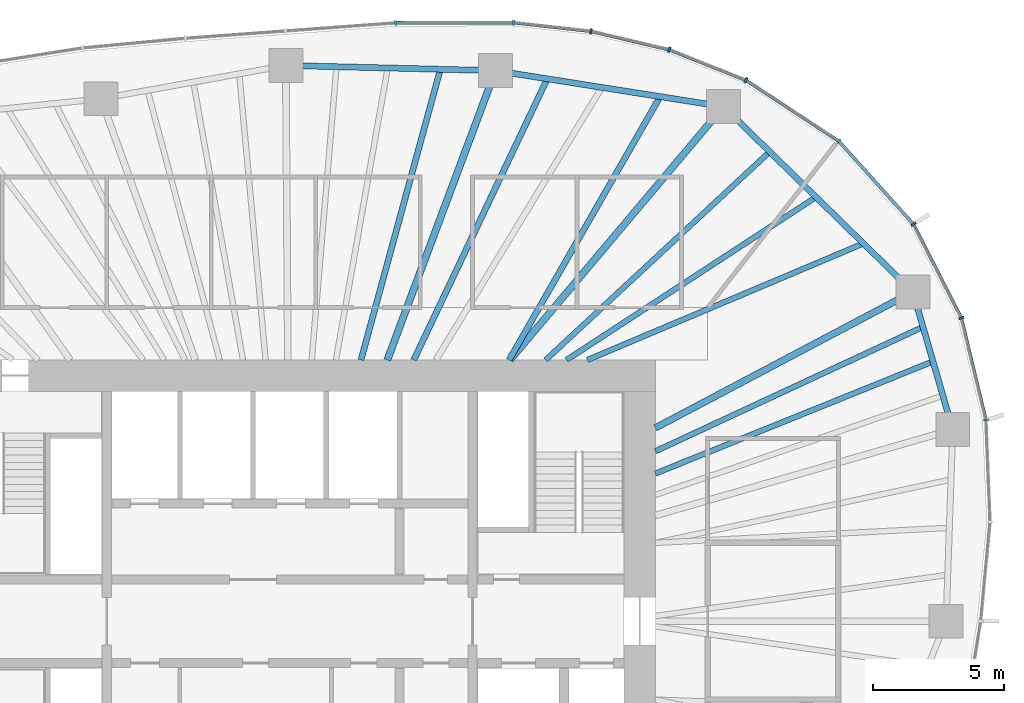
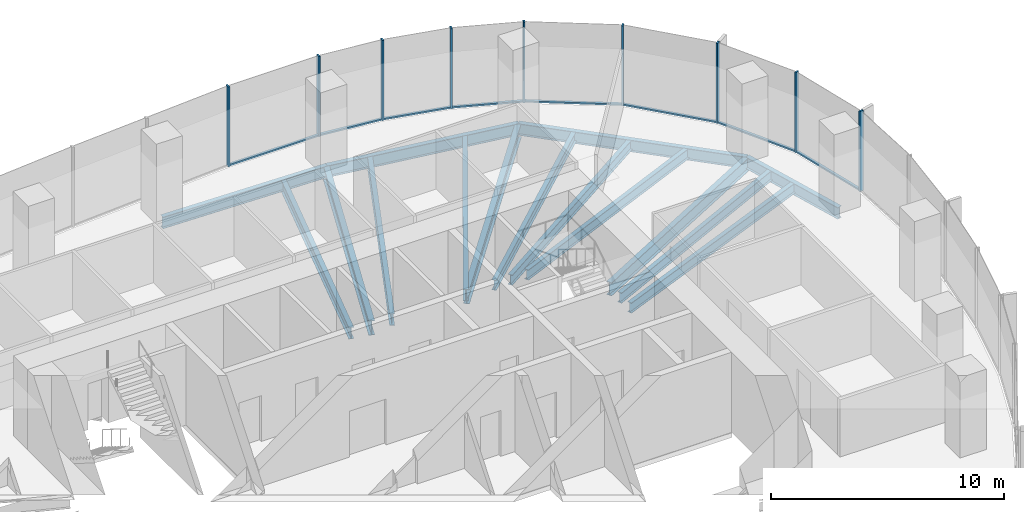
# One storey, part 6 of 12: 17 members, 15 beams, 4 elements without a shape of their own.
"""IFC4 building model written with IfcOpenShell, lengths in metres."""

from ifc_helpers import new_model, si_unit, direction, frame, origin, origin_2d, place, context, subcontext, project, spatial, rectangle, i_section, extrude, material, material_profile, profile_set, type_object, element, aggregate, save


model = new_model("IFC4")

# Units and contexts
model_context = context("Model", 3, precision=1e-05, world=origin(), true_north=direction((0.0, 1.0)))
body_context = subcontext(model_context, "Body", "Model", "MODEL_VIEW")
ifc_project = project(units=[si_unit("LENGTHUNIT", "METRE"), si_unit("AREAUNIT", "SQUARE_METRE"), si_unit("VOLUMEUNIT", "CUBIC_METRE"), si_unit("PLANEANGLEUNIT", "RADIAN"), si_unit("MASSUNIT", "GRAM", prefix="KILO")], contexts=[model_context])

# Site, building, storey
site_placement = place(None, origin())
site = spatial("IfcSite", under=ifc_project, at=site_placement, CompositionType="ELEMENT")
building_placement = place(site_placement, origin())
building = spatial("IfcBuilding", under=site, at=building_placement, Name="Ghaith Harvest Tower", CompositionType="ELEMENT")
storey_placement = place(building_placement, frame((0.0, 0.0, 207.39990234375)))
storey = spatial("IfcBuildingStorey", under=building, at=storey_placement, Name="L45", CompositionType="ELEMENT", Elevation=207.39990234375)

# Curtain wall, members
ifc_material_1 = material(Name="Black anodised aluminium and fritted glass", Category="aluminium")
curtain_wall_type = type_object("IfcCurtainWallType", Name="CW-H CURTAIN WALL", PredefinedType="NOTDEFINED", material=ifc_material_1)
curtain_wall_1_placement = place(storey_placement, origin())
curtain_wall_1 = element("IfcCurtainWall", 1, at=curtain_wall_1_placement, inside=storey, type_object=curtain_wall_type, Name="Curtain wall CW-H bay 02 L45", PredefinedType="NOTDEFINED")
ifc_material_2 = material(Name="Aluminium, black anodised", Category="aluminium")
ifc_material_profile_1 = material_profile(ifc_material_2, rectangle(XDim=0.080078125, YDim=0.199951171875, at=origin_2d()), Name="CW-H MULLION 80x200")
ifc_profile_set_1 = profile_set([ifc_material_profile_1], Name="Aluminium, black anodised")
member_type_1 = type_object("IfcMemberType", Name="CW-H MULLION 80x200", PredefinedType="MULLION", material=ifc_profile_set_1)
member_1_placement = place(storey_placement, frame((26.646484375, 7.701416015625, 0.0), z_axis=(0.0, 0.0, 1.0), x_axis=(-0.139146256981, 0.990271841046, 0.0)))
member_1 = element("IfcMember", 2, at=member_1_placement, type_object=member_type_1, Name="CW-H mullion 1 bay 02 L45", PredefinedType="MULLION", context=body_context, shape_type="SweptSolid", body=[
    extrude(rectangle(XDim=0.080078125, YDim=0.199951171875, at=origin_2d()), origin(), (0.0, 0.0, 1.0), 4.2001953125),
])
member_2_placement = place(storey_placement, frame((25.707275390625, 11.60546875, 0.0), z_axis=(0.0, 0.0, 1.0), x_axis=(-0.347012123561, 0.93786064322, 0.0)))
member_2 = element("IfcMember", 3, at=member_2_placement, type_object=member_type_1, Name="CW-H mullion 2 bay 02 L45", PredefinedType="MULLION", context=body_context, shape_type="SweptSolid", body=[
    extrude(rectangle(XDim=0.080078125, YDim=0.199951171875, at=origin_2d()), origin(), (0.0, 0.0, 1.0), 4.2001953125),
])

curtain_wall_2_placement = place(storey_placement, origin())
curtain_wall_2 = element("IfcCurtainWall", 4, at=curtain_wall_2_placement, inside=storey, type_object=curtain_wall_type, Name="Curtain wall CW-H bay 03 L45", PredefinedType="NOTDEFINED")
member_3_placement = place(storey_placement, frame((23.874267578125, 15.19384765625, 0.0), z_axis=(0.0, 0.0, 1.0), x_axis=(-0.569847382909, 0.821750546207, 0.0)))
member_3 = element("IfcMember", 5, at=member_3_placement, type_object=member_type_1, Name="CW-H mullion 1 bay 03 L45", PredefinedType="MULLION", context=body_context, shape_type="SweptSolid", body=[
    extrude(rectangle(XDim=0.080078125, YDim=0.199951171875, at=origin_2d()), origin(), (0.0, 0.0, 1.0), 4.2001953125),
])
member_4_placement = place(storey_placement, frame((21.013427734375, 18.374267578125, 0.0), z_axis=(0.0, 0.0, 1.0), x_axis=(-0.758541332755, 0.651624927778, 0.0)))
member_4 = element("IfcMember", 6, at=member_4_placement, type_object=member_type_1, Name="CW-H mullion 2 bay 03 L45", PredefinedType="MULLION", context=body_context, shape_type="SweptSolid", body=[
    extrude(rectangle(XDim=0.080078125, YDim=0.199951171875, at=origin_2d()), origin(), (0.0, 0.0, 1.0), 4.2001953125),
])

curtain_wall_3_placement = place(storey_placement, origin())
curtain_wall_3 = element("IfcCurtainWall", 7, at=curtain_wall_3_placement, inside=storey, type_object=curtain_wall_type, Name="Curtain wall CW-H bay 04 L45", PredefinedType="NOTDEFINED")
member_5_placement = place(storey_placement, frame((17.45947265625, 20.704345703125, 0.0), z_axis=(0.0, 0.0, 1.0), x_axis=(-0.880203412003, 0.474596621878, 0.0)))
member_5 = element("IfcMember", 8, at=member_5_placement, type_object=member_type_1, Name="CW-H mullion 1 bay 04 L45", PredefinedType="MULLION", context=body_context, shape_type="SweptSolid", body=[
    extrude(rectangle(XDim=0.080078125, YDim=0.199951171875, at=origin_2d()), origin(), (0.0, 0.0, 1.0), 4.2001953125),
])
member_6_placement = place(storey_placement, frame((14.52734375, 21.871337890625, 0.0), z_axis=(0.0, 0.0, 1.0), x_axis=(-0.953502908871, 0.30138381306, 0.0)))
member_6 = element("IfcMember", 9, at=member_6_placement, type_object=member_type_1, Name="CW-H mullion 2 bay 04 L45", PredefinedType="MULLION", context=body_context, shape_type="SweptSolid", body=[
    extrude(rectangle(XDim=0.080078125, YDim=0.199951171875, at=origin_2d()), origin(), (0.0, 0.0, 1.0), 4.2001953125),
])
member_7_placement = place(storey_placement, frame((11.527099609375, 22.579345703125, 0.0), z_axis=(0.0, 0.0, 1.0), x_axis=(-0.985193373388, 0.171446834417, 0.0)))
member_7 = element("IfcMember", 10, at=member_7_placement, type_object=member_type_1, Name="CW-H mullion 3 bay 04 L45", PredefinedType="MULLION", context=body_context, shape_type="SweptSolid", body=[
    extrude(rectangle(XDim=0.080078125, YDim=0.199951171875, at=origin_2d()), origin(), (0.0, 0.0, 1.0), 4.2001953125),
])

curtain_wall_4_placement = place(storey_placement, origin())
curtain_wall_4 = element("IfcCurtainWall", 11, at=curtain_wall_4_placement, inside=storey, type_object=curtain_wall_type, Name="Curtain wall CW-H bay 05 L45", PredefinedType="NOTDEFINED")
member_8_placement = place(storey_placement, frame((8.564208984375, 22.9091796875, 0.0), z_axis=(0.0, 0.0, 1.0), x_axis=(-0.999083519493, 0.042803283493, 0.0)))
member_8 = element("IfcMember", 12, at=member_8_placement, type_object=member_type_1, Name="CW-H mullion 1 bay 05 L45", PredefinedType="MULLION", context=body_context, shape_type="SweptSolid", body=[
    extrude(rectangle(XDim=0.080078125, YDim=0.199951171875, at=origin_2d()), origin(), (0.0, 0.0, 1.0), 4.2001953125),
])
member_9_placement = place(storey_placement, frame((4.0595703125, 22.8994140625, 0.0), z_axis=(0.0, 0.0, 1.0), x_axis=(-0.999332779724, -0.036523901335, 0.0)))
member_9 = element("IfcMember", 13, at=member_9_placement, type_object=member_type_1, Name="CW-H mullion 2 bay 05 L45", PredefinedType="MULLION", context=body_context, shape_type="SweptSolid", body=[
    extrude(rectangle(XDim=0.080078125, YDim=0.199951171875, at=origin_2d()), origin(), (0.0, 0.0, 1.0), 4.2001953125),
])

# Member
ifc_material_3 = material(Name="Aluminium, black anodised", Category="aluminium")
ifc_material_profile_2 = material_profile(ifc_material_3, rectangle(XDim=0.1298828125, YDim=0.080078125, at=origin_2d()), Name="CW-H TRANSOM 130x80")
ifc_profile_set_2 = profile_set([ifc_material_profile_2], Name="Aluminium, black anodised")
member_type_2 = type_object("IfcMemberType", Name="CW-H TRANSOM 130x80", PredefinedType="USERDEFINED", material=ifc_profile_set_2)
member_10_placement = place(storey_placement, frame((26.636962890625, 7.740234375, 0.0400390625), z_axis=(-0.233870324689, 0.972267798104, 0.0), x_axis=(-0.972267798104, -0.233870324689, 0.0)))
member_10 = element("IfcMember", 14, at=member_10_placement, type_object=member_type_2, Name="CW-H transom 1 bay 02 L45", ObjectType="TRANSOM", PredefinedType="USERDEFINED", context=body_context, shape_type="SweptSolid", body=[
    extrude(rectangle(XDim=0.1298828125, YDim=0.080078125, at=origin_2d()), origin(), (0.0, 0.0, 1.0), 3.935546875),
])

member_11_placement = place(storey_placement, frame((25.68896484375, 11.64111328125, 0.0400390625), z_axis=(-0.454911728312, 0.890536534592, 0.0), x_axis=(-0.890536534592, -0.454911728312, 0.0)))
member_11 = element("IfcMember", 15, at=member_11_placement, type_object=member_type_2, Name="CW-H transom 2 bay 02 L45", ObjectType="TRANSOM", PredefinedType="USERDEFINED", context=body_context, shape_type="SweptSolid", body=[
    extrude(rectangle(XDim=0.1298828125, YDim=0.080078125, at=origin_2d()), origin(), (0.0, 0.0, 1.0), 3.949462890625),
])

aggregate(curtain_wall_1, [member_1, member_10, member_2, member_11])

member_12_placement = place(storey_placement, frame((23.847412109375, 15.223388671875, 0.0400390625), z_axis=(-0.668752638518, 0.743484975286, 0.0), x_axis=(-0.743484975286, -0.668752638518, 0.0)))
member_12 = element("IfcMember", 16, at=member_12_placement, type_object=member_type_2, Name="CW-H transom 1 bay 03 L45", ObjectType="TRANSOM", PredefinedType="USERDEFINED", context=body_context, shape_type="SweptSolid", body=[
    extrude(rectangle(XDim=0.1298828125, YDim=0.080078125, at=origin_2d()), origin(), (0.0, 0.0, 1.0), 4.197998046875),
])

member_13_placement = place(storey_placement, frame((20.97998046875, 18.39599609375, 0.0400390625), z_axis=(-0.836268574396, 0.548320044753, 0.0), x_axis=(-0.548320044753, -0.836268574396, 0.0)))
member_13 = element("IfcMember", 17, at=member_13_placement, type_object=member_type_2, Name="CW-H transom 2 bay 03 L45", ObjectType="TRANSOM", PredefinedType="USERDEFINED", context=body_context, shape_type="SweptSolid", body=[
    extrude(rectangle(XDim=0.1298828125, YDim=0.080078125, at=origin_2d()), origin(), (0.0, 0.0, 1.0), 4.169677734375),
])

aggregate(curtain_wall_2, [member_3, member_12, member_4, member_13])

member_14_placement = place(storey_placement, frame((17.42236328125, 20.71923828125, 0.0400390625), z_axis=(-0.929115751434, 0.369789021521, 0.0), x_axis=(-0.369789021521, -0.929115751434, 0.0)))
member_14 = element("IfcMember", 18, at=member_14_placement, type_object=member_type_2, Name="CW-H transom 1 bay 04 L45", ObjectType="TRANSOM", PredefinedType="USERDEFINED", context=body_context, shape_type="SweptSolid", body=[
    extrude(rectangle(XDim=0.1298828125, YDim=0.080078125, at=origin_2d()), origin(), (0.0, 0.0, 1.0), 3.075927734375),
])

member_15_placement = place(storey_placement, frame((14.48828125, 21.880615234375, 0.0400390625), z_axis=(-0.97325803677, 0.229714592186, 0.0), x_axis=(-0.229714592186, -0.97325803677, 0.0)))
member_15 = element("IfcMember", 19, at=member_15_placement, type_object=member_type_2, Name="CW-H transom 2 bay 04 L45", ObjectType="TRANSOM", PredefinedType="USERDEFINED", context=body_context, shape_type="SweptSolid", body=[
    extrude(rectangle(XDim=0.1298828125, YDim=0.080078125, at=origin_2d()), origin(), (0.0, 0.0, 1.0), 3.00244140625),
])

member_16_placement = place(storey_placement, frame((11.4873046875, 22.583984375, 0.0400390625), z_axis=(-0.993867303252, 0.110579308762, 0.0), x_axis=(-0.110579308762, -0.993867303252, 0.0)))
member_16 = element("IfcMember", 20, at=member_16_placement, type_object=member_type_2, Name="CW-H transom 3 bay 04 L45", ObjectType="TRANSOM", PredefinedType="USERDEFINED", context=body_context, shape_type="SweptSolid", body=[
    extrude(rectangle(XDim=0.1298828125, YDim=0.080078125, at=origin_2d()), origin(), (0.0, 0.0, 1.0), 2.901123046875),
])

aggregate(curtain_wall_3, [member_5, member_14, member_6, member_15, member_7, member_16])

member_17_placement = place(storey_placement, frame((8.524169921875, 22.9091796875, 0.0400390625), z_axis=(-0.999997564275, -0.002207134722, 0.0), x_axis=(0.002207134722, -0.999997564275, 0.0)))
member_17 = element("IfcMember", 21, at=member_17_placement, type_object=member_type_2, Name="CW-H transom 1 bay 05 L45", ObjectType="TRANSOM", PredefinedType="USERDEFINED", context=body_context, shape_type="SweptSolid", body=[
    extrude(rectangle(XDim=0.1298828125, YDim=0.080078125, at=origin_2d()), origin(), (0.0, 0.0, 1.0), 4.424560546875),
])

aggregate(curtain_wall_4, [member_8, member_17, member_9])

# Beams
ifc_material_4 = material(Name="Steel ASTM A992 Grade 50", Category="steel")
ifc_material_profile_3 = material_profile(ifc_material_4, i_section(OverallWidth=0.22900390625, OverallDepth=0.612060546875, WebThickness=0.011962890625, FlangeThickness=0.01953125, at=origin_2d()), Name="W610X125")
ifc_profile_set_3 = profile_set([ifc_material_profile_3], Name="Steel ASTM A992 Grade 50")
beam_type_1 = type_object("IfcBeamType", Name="E610-125 W610X125", PredefinedType="SPANDREL", material=ifc_profile_set_3)
beam_1_placement = place(storey_placement, frame((25.3779296875, 7.3349609375, -0.475830078125), z_axis=(-0.278021352648, 0.960574894254, 0.0), x_axis=(-0.960574894254, -0.278021352648, 0.0)))
element("IfcBeam", 22, at=beam_1_placement, inside=storey, type_object=beam_type_1, Name="Edge beam E02 L45", PredefinedType="SPANDREL", context=body_context, shape_type="SweptSolid", body=[
    extrude(i_section(OverallWidth=0.22900390625, OverallDepth=0.612060546875, WebThickness=0.011962890625, FlangeThickness=0.01953125, at=origin_2d()), origin(), (0.0, 0.0, 1.0), 5.48828125),
])
beam_2_placement = place(storey_placement, frame((23.85205078125, 12.60693359375, -0.475830078125), z_axis=(-0.714761249388, 0.699368541166, 0.0), x_axis=(-0.699368541166, -0.714761249388, 0.0)))
element("IfcBeam", 23, at=beam_2_placement, inside=storey, type_object=beam_type_1, Name="Edge beam E03 L45", PredefinedType="SPANDREL", context=body_context, shape_type="SweptSolid", body=[
    extrude(i_section(OverallWidth=0.22900390625, OverallDepth=0.612060546875, WebThickness=0.011962890625, FlangeThickness=0.01953125, at=origin_2d()), origin(), (0.0, 0.0, 1.0), 10.135009765625),
])
beam_3_placement = place(storey_placement, frame((16.60791015625, 19.695068359375, -0.475830078125), z_axis=(-0.987788485872, 0.155800857439, 0.0), x_axis=(-0.155800857439, -0.987788485872, 0.0)))
element("IfcBeam", 24, at=beam_3_placement, inside=storey, type_object=beam_type_1, Name="Edge beam E04 L45", PredefinedType="SPANDREL", context=body_context, shape_type="SweptSolid", body=[
    extrude(i_section(OverallWidth=0.22900390625, OverallDepth=0.612060546875, WebThickness=0.011962890625, FlangeThickness=0.01953125, at=origin_2d()), origin(), (0.0, 0.0, 1.0), 8.837890625),
])
beam_4_placement = place(storey_placement, frame((7.8779296875, 21.072021484375, -0.475830078125), z_axis=(-0.999692679676, 0.024790042413, 0.0), x_axis=(-0.024790042413, -0.999692679676, 0.0)))
element("IfcBeam", 25, at=beam_4_placement, inside=storey, type_object=beam_type_1, Name="Edge beam E05 L45", PredefinedType="SPANDREL", context=body_context, shape_type="SweptSolid", body=[
    extrude(i_section(OverallWidth=0.22900390625, OverallDepth=0.612060546875, WebThickness=0.011962890625, FlangeThickness=0.01953125, at=origin_2d()), origin(), (0.0, 0.0, 1.0), 8.0263671875),
])
ifc_material_5 = material(Name="Steel ASTM A992 Grade 50", Category="steel")
ifc_material_profile_4 = material_profile(ifc_material_5, i_section(OverallWidth=0.256103515625, OverallDepth=0.693115234375, WebThickness=0.014404296875, FlangeThickness=0.023681640625, at=origin_2d()), Name="W690X170")
ifc_profile_set_4 = profile_set([ifc_material_profile_4], Name="Steel ASTM A992 Grade 50")
beam_type_2 = type_object("IfcBeamType", Name="G690-170 W690X170", PredefinedType="BEAM", material=ifc_profile_set_4)
beam_5_placement = place(storey_placement, frame((14.0, 7.39990234375, -0.516357421875), z_axis=(0.884112784119, 0.467273565438, 0.0), x_axis=(-0.467273565438, 0.884112784119, 0.0)))
element("IfcBeam", 26, at=beam_5_placement, inside=storey, type_object=beam_type_2, Name="Radial girder G03 L45", PredefinedType="BEAM", context=body_context, shape_type="SweptSolid", body=[
    extrude(i_section(OverallWidth=0.256103515625, OverallDepth=0.693115234375, WebThickness=0.014404296875, FlangeThickness=0.023681640625, at=origin_2d()), origin(), (0.0, 0.0, 1.0), 11.143310546875),
])
ifc_material_6 = material(Name="Steel ASTM A992 Grade 50", Category="steel")
ifc_material_profile_5 = material_profile(ifc_material_6, i_section(OverallWidth=0.26806640625, OverallDepth=0.77001953125, WebThickness=0.015625, FlangeThickness=0.025390625, at=origin_2d()), Name="W760X196")
ifc_profile_set_5 = profile_set([ifc_material_profile_5], Name="Steel ASTM A992 Grade 50")
beam_type_3 = type_object("IfcBeamType", Name="G760-196 W760X196", PredefinedType="BEAM", material=ifc_profile_set_5)
beam_6_placement = place(storey_placement, frame((8.4326171875, 10.0, -0.554931640625), z_axis=(0.644644245772, 0.764482698557, 0.0), x_axis=(-0.764482698557, 0.644644245772, 0.0)))
element("IfcBeam", 27, at=beam_6_placement, inside=storey, type_object=beam_type_3, Name="Radial girder G04 L45", PredefinedType="BEAM", context=body_context, shape_type="SweptSolid", body=[
    extrude(i_section(OverallWidth=0.26806640625, OverallDepth=0.77001953125, WebThickness=0.015625, FlangeThickness=0.025390625, at=origin_2d()), origin(), (0.0, 0.0, 1.0), 12.681884765625),
])
beam_7_placement = place(storey_placement, frame((3.73828125, 10.0, -0.554931640625), z_axis=(0.350206582147, 0.936672488024, 0.0), x_axis=(-0.936672488024, 0.350206582147, 0.0)))
element("IfcBeam", 28, at=beam_7_placement, inside=storey, type_object=beam_type_3, Name="Radial girder G05 L45", PredefinedType="BEAM", context=body_context, shape_type="SweptSolid", body=[
    extrude(i_section(OverallWidth=0.26806640625, OverallDepth=0.77001953125, WebThickness=0.015625, FlangeThickness=0.025390625, at=origin_2d()), origin(), (0.0, 0.0, 1.0), 11.820556640625),
])
ifc_material_7 = material(Name="Steel ASTM A992 Grade 50", Category="steel")
ifc_material_profile_6 = material_profile(ifc_material_7, i_section(OverallWidth=0.2109375, OverallDepth=0.5390625, WebThickness=0.01171875, FlangeThickness=0.018798828125, at=origin_2d()), Name="W530X109")
ifc_profile_set_6 = profile_set([ifc_material_profile_6], Name="Steel ASTM A992 Grade 50")
beam_type_4 = type_object("IfcBeamType", Name="J530-109 W530X109", PredefinedType="JOIST", material=ifc_profile_set_6)
beam_8_placement = place(storey_placement, frame((14.0, 5.653564453125, -0.439453125), z_axis=(0.927250374508, 0.37444190868, 0.0), x_axis=(-0.37444190868, 0.927250374508, 0.0)))
element("IfcBeam", 29, at=beam_8_placement, inside=storey, type_object=beam_type_4, Name="Joist J02.2 L45", PredefinedType="JOIST", context=body_context, shape_type="SweptSolid", body=[
    extrude(i_section(OverallWidth=0.2109375, OverallDepth=0.5390625, WebThickness=0.01171875, FlangeThickness=0.018798828125, at=origin_2d()), origin(), (0.0, 0.0, 1.0), 11.45654296875),
])
beam_9_placement = place(storey_placement, frame((14.0, 6.506103515625, -0.439453125), z_axis=(0.906864105655, 0.421423176718, 0.0), x_axis=(-0.421423176718, 0.906864105655, 0.0)))
element("IfcBeam", 30, at=beam_9_placement, inside=storey, type_object=beam_type_4, Name="Joist J02.3 L45", PredefinedType="JOIST", context=body_context, shape_type="SweptSolid", body=[
    extrude(i_section(OverallWidth=0.2109375, OverallDepth=0.5390625, WebThickness=0.01171875, FlangeThickness=0.018798828125, at=origin_2d()), origin(), (0.0, 0.0, 1.0), 11.292236328125),
])
beam_10_placement = place(storey_placement, frame((11.39990234375, 10.0, -0.439453125), z_axis=(0.92127415213, 0.388913790727, 0.0), x_axis=(-0.388913790727, 0.92127415213, 0.0)))
element("IfcBeam", 31, at=beam_10_placement, inside=storey, type_object=beam_type_4, Name="Joist J03.1 L45", PredefinedType="JOIST", context=body_context, shape_type="SweptSolid", body=[
    extrude(i_section(OverallWidth=0.2109375, OverallDepth=0.5390625, WebThickness=0.01171875, FlangeThickness=0.018798828125, at=origin_2d()), origin(), (0.0, 0.0, 1.0), 11.462646484375),
])
beam_11_placement = place(storey_placement, frame((10.60009765625, 10.0, -0.439453125), z_axis=(0.837329320942, 0.546698827775, 0.0), x_axis=(-0.546698827775, 0.837329320942, 0.0)))
element("IfcBeam", 32, at=beam_11_placement, inside=storey, type_object=beam_type_4, Name="Joist J03.2 L45", PredefinedType="JOIST", context=body_context, shape_type="SweptSolid", body=[
    extrude(i_section(OverallWidth=0.2109375, OverallDepth=0.5390625, WebThickness=0.01171875, FlangeThickness=0.018798828125, at=origin_2d()), origin(), (0.0, 0.0, 1.0), 11.40087890625),
])
beam_12_placement = place(storey_placement, frame((9.800048828125, 10.0, -0.439453125), z_axis=(0.732519288302, 0.680746275984, 0.0), x_axis=(-0.680746275984, 0.732519288302, 0.0)))
element("IfcBeam", 33, at=beam_12_placement, inside=storey, type_object=beam_type_4, Name="Joist J03.3 L45", PredefinedType="JOIST", context=body_context, shape_type="SweptSolid", body=[
    extrude(i_section(OverallWidth=0.2109375, OverallDepth=0.5390625, WebThickness=0.01171875, FlangeThickness=0.018798828125, at=origin_2d()), origin(), (0.0, 0.0, 1.0), 11.7041015625),
])
ifc_material_8 = material(Name="Steel ASTM A992 Grade 50", Category="steel")
ifc_material_profile_7 = material_profile(ifc_material_8, i_section(OverallWidth=0.22900390625, OverallDepth=0.612060546875, WebThickness=0.011962890625, FlangeThickness=0.01953125, at=origin_2d()), Name="W610X125")
ifc_profile_set_7 = profile_set([ifc_material_profile_7], Name="Steel ASTM A992 Grade 50")
beam_type_5 = type_object("IfcBeamType", Name="J610-125 W610X125", PredefinedType="JOIST", material=ifc_profile_set_7)
beam_13_placement = place(storey_placement, frame((8.39990234375, 10.0, -0.475830078125), z_axis=(0.497444212127, 0.867495968764, 0.0), x_axis=(-0.867495968764, 0.497444212127, 0.0)))
element("IfcBeam", 34, at=beam_13_placement, inside=storey, type_object=beam_type_5, Name="Joist J04.1 L45", PredefinedType="JOIST", context=body_context, shape_type="SweptSolid", body=[
    extrude(i_section(OverallWidth=0.22900390625, OverallDepth=0.612060546875, WebThickness=0.011962890625, FlangeThickness=0.01953125, at=origin_2d()), origin(), (0.0, 0.0, 1.0), 11.617431640625),
])
beam_14_placement = place(storey_placement, frame((4.75, 10.0, -0.475830078125), z_axis=(0.429069356877, 0.903271546651, 0.0), x_axis=(-0.903271546651, 0.429069356877, 0.0)))
element("IfcBeam", 35, at=beam_14_placement, inside=storey, type_object=beam_type_5, Name="Joist J04.3 L45", PredefinedType="JOIST", context=body_context, shape_type="SweptSolid", body=[
    extrude(i_section(OverallWidth=0.22900390625, OverallDepth=0.612060546875, WebThickness=0.011962890625, FlangeThickness=0.01953125, at=origin_2d()), origin(), (0.0, 0.0, 1.0), 11.911376953125),
])
beam_15_placement = place(storey_placement, frame((2.73095703125, 10.0, -0.475830078125), z_axis=(0.263455967932, 0.964671422279, 0.0), x_axis=(-0.964671422279, 0.263455967932, 0.0)))
element("IfcBeam", 36, at=beam_15_placement, inside=storey, type_object=beam_type_5, Name="Joist J05.1 L45", PredefinedType="JOIST", context=body_context, shape_type="SweptSolid", body=[
    extrude(i_section(OverallWidth=0.22900390625, OverallDepth=0.612060546875, WebThickness=0.011962890625, FlangeThickness=0.01953125, at=origin_2d()), origin(), (0.0, 0.0, 1.0), 11.53173828125),
])

save(model, "model.ifc")
